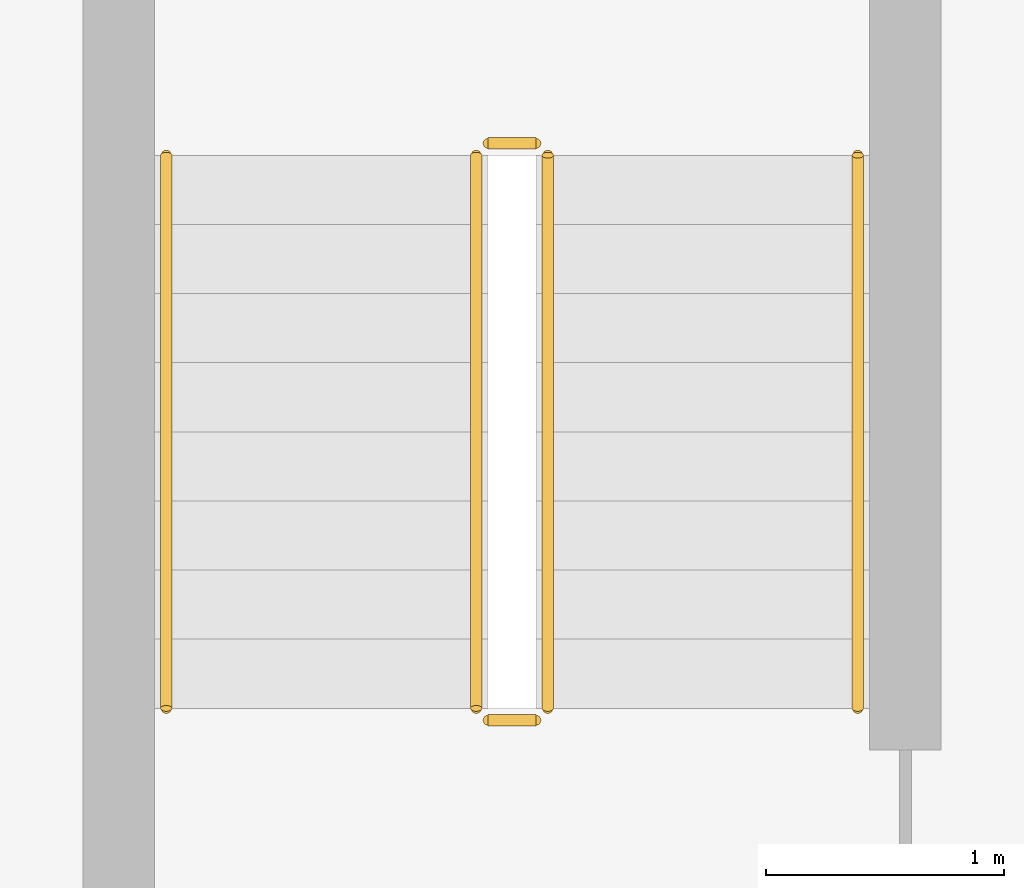
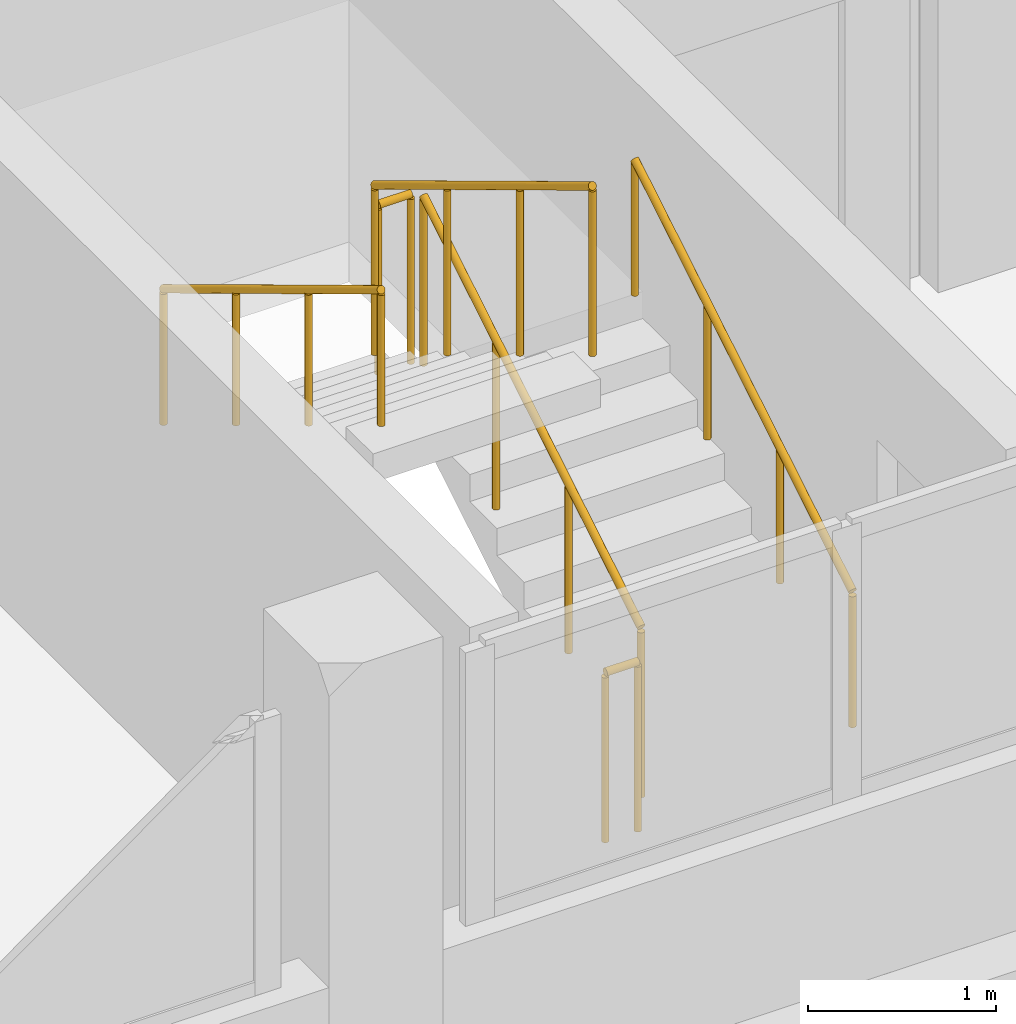
# One storey, part 42 of 51: 6 railings.
"""IFC4 building model written with IfcOpenShell, lengths in metres."""

from ifc_helpers import new_model, si_unit, derived_unit, direction, frame, origin, origin_2d, place, context, subcontext, project, spatial, circle, extrude, material, type_object, element, save


model = new_model("IFC4")

# Units and contexts
model_context = context("Model", 3, precision=1e-05, world=origin(), true_north=direction((0.0, 1.0)))
body_context = subcontext(model_context, "Body", "Model", "MODEL_VIEW")
ifc_project = project(units=[si_unit("LENGTHUNIT", "METRE"), si_unit("AREAUNIT", "SQUARE_METRE"), si_unit("VOLUMEUNIT", "CUBIC_METRE"), si_unit("PLANEANGLEUNIT", "RADIAN"), si_unit("MASSUNIT", "GRAM", prefix="KILO"), derived_unit("THERMALTRANSMITTANCEUNIT", [(si_unit("MASSUNIT", "GRAM", prefix="KILO"), 1), (si_unit("TIMEUNIT", "SECOND"), -3), (si_unit("THERMODYNAMICTEMPERATUREUNIT", "KELVIN"), -1)])], contexts=[model_context])

# Site, building, storey
site_placement = place(None, origin())
site = spatial("IfcSite", under=ifc_project, at=site_placement, CompositionType="ELEMENT")
building_placement = place(site_placement, origin())
building = spatial("IfcBuilding", under=site, at=building_placement, Name="Ochrekiln Boulevard Commons", CompositionType="ELEMENT")
storey_placement = place(building_placement, frame((0.0, 0.0, 18.375)))
storey = spatial("IfcBuildingStorey", under=building, at=storey_placement, Name="L05", CompositionType="ELEMENT", Elevation=18.375)

# Railings
ifc_material = material(Name="Brushed stainless steel 316 tubular railing", Category="steel")
railing_type_1 = type_object("IfcRailingType", Name="RLG-HDR-900", PredefinedType="HANDRAIL", material=ifc_material)
railing_1_placement = place(storey_placement, frame((9.35009765625, 70.27001953125, 0.175048828125)))
element("IfcRailing", 1, at=railing_1_placement, inside=storey, type_object=railing_type_1, Name="L05 ST-A1 stair handrail 1", PredefinedType="HANDRAIL", context=body_context, shape_type="SweptSolid", body=[
    extrude(circle(Radius=0.02392578125, at=origin_2d()), frame((0.0, 0.0, 0.8759765625), z_axis=(0.0, 0.85621033714, 0.516627388526), x_axis=(-1.0, 0.0, 0.0)), (0.0, 0.0, 1.0), 2.709716796875),
    extrude(circle(Radius=0.02099609375, at=origin_2d()), origin(), (0.0, 0.0, 1.0), 0.851806640625),
    extrude(circle(Radius=0.02099609375, at=origin_2d()), frame((0.0, 0.7734375, 0.466552734375)), (0.0, 0.0, 1.0), 0.851806640625),
    extrude(circle(Radius=0.02099609375, at=origin_2d()), frame((0.0, 1.546630859375, 0.933349609375)), (0.0, 0.0, 1.0), 0.851806640625),
    extrude(circle(Radius=0.02099609375, at=origin_2d()), frame((0.0, 2.320068359375, 1.39990234375)), (0.0, 0.0, 1.0), 0.851806640625),
])
railing_2_placement = place(storey_placement, frame((6.449951171875, 72.590087890625, 1.75)))
element("IfcRailing", 2, at=railing_2_placement, inside=storey, type_object=railing_type_1, Name="L05 ST-A1 stair handrail 2", PredefinedType="HANDRAIL", context=body_context, shape_type="SweptSolid", body=[
    extrude(circle(Radius=0.02392578125, at=origin_2d()), frame((0.0, 0.0, 0.8759765625), z_axis=(0.0, -0.85621033714, 0.516627388526), x_axis=(1.0, 0.0, 0.0)), (0.0, 0.0, 1.0), 2.709716796875),
    extrude(circle(Radius=0.02099609375, at=origin_2d()), origin(), (0.0, 0.0, 1.0), 0.851806640625),
    extrude(circle(Radius=0.02099609375, at=origin_2d()), frame((0.0, -0.7734375, 0.466552734375)), (0.0, 0.0, 1.0), 0.851806640625),
    extrude(circle(Radius=0.02099609375, at=origin_2d()), frame((0.0, -1.546630859375, 0.933349609375)), (0.0, 0.0, 1.0), 0.851806640625),
    extrude(circle(Radius=0.02099609375, at=origin_2d()), frame((0.0, -2.320068359375, 1.39990234375)), (0.0, 0.0, 1.0), 0.851806640625),
])
railing_type_2 = type_object("IfcRailingType", Name="RLG-STR-1120", PredefinedType="BALUSTRADE", material=ifc_material)
railing_3_placement = place(storey_placement, frame((8.050048828125, 70.27001953125, 0.175048828125)))
element("IfcRailing", 3, at=railing_3_placement, inside=storey, type_object=railing_type_2, Name="L05 ST-A1 stair guard 1", PredefinedType="BALUSTRADE", context=body_context, shape_type="SweptSolid", body=[
    extrude(circle(Radius=0.02392578125, at=origin_2d()), frame((0.0, 0.0, 1.09619140625), z_axis=(0.0, 0.85621033714, 0.516627388526), x_axis=(-1.0, 0.0, 0.0)), (0.0, 0.0, 1.0), 2.709716796875),
    extrude(circle(Radius=0.02099609375, at=origin_2d()), origin(), (0.0, 0.0, 1.0), 1.072021484375),
    extrude(circle(Radius=0.02099609375, at=origin_2d()), frame((0.0, 0.7734375, 0.466552734375)), (0.0, 0.0, 1.0), 1.072021484375),
    extrude(circle(Radius=0.02099609375, at=origin_2d()), frame((0.0, 1.546630859375, 0.933349609375)), (0.0, 0.0, 1.0), 1.072021484375),
    extrude(circle(Radius=0.02099609375, at=origin_2d()), frame((0.0, 2.320068359375, 1.39990234375)), (0.0, 0.0, 1.0), 1.072021484375),
])
railing_4_placement = place(storey_placement, frame((8.0, 72.639892578125, 1.574951171875)))
element("IfcRailing", 4, at=railing_4_placement, inside=storey, type_object=railing_type_2, Name="L05 ST-A1 stair guard 2", PredefinedType="BALUSTRADE", context=body_context, shape_type="SweptSolid", body=[
    extrude(circle(Radius=0.02392578125, at=origin_2d()), frame((0.0, 0.0, 1.09619140625), z_axis=(-1.0, 0.0, 0.0), x_axis=(0.0, -1.0, 0.0)), (0.0, 0.0, 1.0), 0.199951171875),
    extrude(circle(Radius=0.02099609375, at=origin_2d()), origin(), (0.0, 0.0, 1.0), 1.072021484375),
    extrude(circle(Radius=0.02099609375, at=origin_2d()), frame((-0.199951171875, 0.0, 0.0)), (0.0, 0.0, 1.0), 1.072021484375),
])
railing_5_placement = place(storey_placement, frame((7.75, 72.590087890625, 1.75)))
element("IfcRailing", 5, at=railing_5_placement, inside=storey, type_object=railing_type_2, Name="L05 ST-A1 stair guard 3", PredefinedType="BALUSTRADE", context=body_context, shape_type="SweptSolid", body=[
    extrude(circle(Radius=0.02392578125, at=origin_2d()), frame((0.0, 0.0, 1.09619140625), z_axis=(0.0, -0.85621033714, 0.516627388526), x_axis=(1.0, 0.0, 0.0)), (0.0, 0.0, 1.0), 2.709716796875),
    extrude(circle(Radius=0.02099609375, at=origin_2d()), origin(), (0.0, 0.0, 1.0), 1.072021484375),
    extrude(circle(Radius=0.02099609375, at=origin_2d()), frame((0.0, -0.7734375, 0.466552734375)), (0.0, 0.0, 1.0), 1.072021484375),
    extrude(circle(Radius=0.02099609375, at=origin_2d()), frame((0.0, -1.546630859375, 0.933349609375)), (0.0, 0.0, 1.0), 1.072021484375),
    extrude(circle(Radius=0.02099609375, at=origin_2d()), frame((0.0, -2.320068359375, 1.39990234375)), (0.0, 0.0, 1.0), 1.072021484375),
])
railing_6_placement = place(storey_placement, frame((8.0, 70.219970703125, 0.0)))
element("IfcRailing", 6, at=railing_6_placement, inside=storey, type_object=railing_type_2, Name="L05 ST-A1 stair guard 4", PredefinedType="BALUSTRADE", context=body_context, shape_type="SweptSolid", body=[
    extrude(circle(Radius=0.02392578125, at=origin_2d()), frame((0.0, 0.0, 1.09619140625), z_axis=(-1.0, 0.0, 0.0), x_axis=(0.0, -1.0, 0.0)), (0.0, 0.0, 1.0), 0.199951171875),
    extrude(circle(Radius=0.02099609375, at=origin_2d()), origin(), (0.0, 0.0, 1.0), 1.072021484375),
    extrude(circle(Radius=0.02099609375, at=origin_2d()), frame((-0.199951171875, 0.0, 0.0)), (0.0, 0.0, 1.0), 1.072021484375),
])

save(model, "model.ifc")
